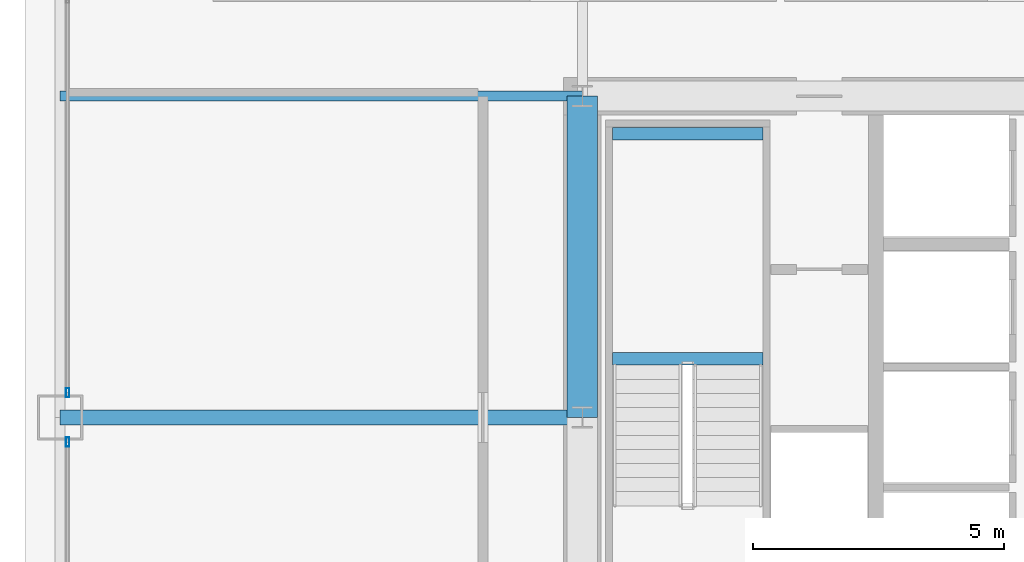
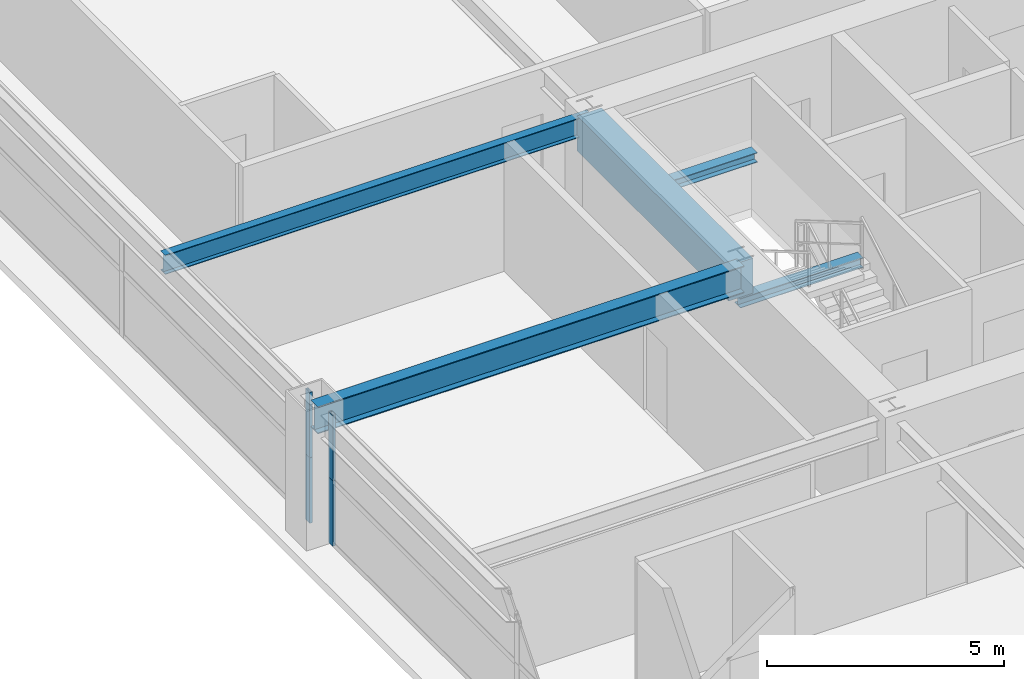
# One storey, part 12 of 43: 5 beams, 4 members, 2 elements without a shape of their own.
"""IFC4 building model written with IfcOpenShell, lengths in metres."""

import ifcopenshell
import ifcopenshell.guid

model = None  # the IFC model being written
_history = None  # IfcOwnerHistory: only IFC2X3 demands one
_inside = {}  # id of a spatial element -> (the spatial element, [elements in it])
_under = {}  # id of a project, library or spatial element -> (it, [spatial elements below it])
_declared = {}  # id of a project -> (the project, [libraries it declares])
_typed = {}  # id of a type object -> (the type object, [elements of that type])
_made_of = {}  # id of a material, layer set ... -> (it, [elements and type objects made of it])


def new_model(schema):
    """Start an empty IFC model of exactly this schema.

    Asked for "IFC4X3", IfcOpenShell would pick the latest addendum, in which some entities
    have other attributes; the version numbers below select the first issue.
    IFC2X3 requires an IfcOwnerHistory on every rooted entity: one is made here for all.
    """
    global model, _history
    if schema == "IFC4X3":
        model = ifcopenshell.file(schema_version=(4, 3, 0, 0))
    else:
        model = ifcopenshell.file(schema=schema)
    _inside.clear()
    _under.clear()
    _declared.clear()
    _typed.clear()
    _made_of.clear()
    _history = None
    if model.schema == "IFC2X3":
        org = make("IfcOrganization", Name="unknown")
        user = make(
            "IfcPersonAndOrganization",
            ThePerson=make("IfcPerson", FamilyName="unknown"),
            TheOrganization=org,
        )
        app = make(
            "IfcApplication",
            ApplicationDeveloper=org,
            Version="unknown",
            ApplicationFullName="unknown",
            ApplicationIdentifier="unknown",
        )
        _history = make(
            "IfcOwnerHistory",
            OwningUser=user,
            OwningApplication=app,
            ChangeAction="ADDED",
            CreationDate=0,
        )
    return model


def make(cls, **values):
    """One entity of the class cls with the attributes given. An attribute that is None is left unset."""
    return model.create_entity(
        cls, **{name: value for name, value in values.items() if value is not None}
    )


def rooted(cls, **values):
    """An entity with a GlobalId (a new one), such as an element, a storey or a relation."""
    return make(cls, GlobalId=ifcopenshell.guid.new(), OwnerHistory=_history, **values)


def si_unit(unit_type, name, prefix=None):
    """IfcSIUnit, for example si_unit("LENGTHUNIT", "METRE", prefix="MILLI")."""
    return make("IfcSIUnit", UnitType=unit_type, Prefix=prefix, Name=name)


def assignment(units):
    """IfcUnitAssignment: the units of a project."""
    return None if units is None else make("IfcUnitAssignment", Units=units)


def point(xyz):
    """IfcCartesianPoint."""
    return None if xyz is None else make("IfcCartesianPoint", Coordinates=xyz)


def direction(xyz):
    """IfcDirection."""
    return None if xyz is None else make("IfcDirection", DirectionRatios=xyz)


def frame(location, z_axis=None, x_axis=None):
    """IfcAxis2Placement3D, a coordinate frame: its origin and axes. An axis left out is left unset."""
    return make(
        "IfcAxis2Placement3D",
        Location=point(location),
        Axis=direction(z_axis),
        RefDirection=direction(x_axis),
    )


def frame_2d(location, x_axis=None):
    """IfcAxis2Placement2D, a coordinate frame in the plane: its origin and x axis."""
    return make(
        "IfcAxis2Placement2D", Location=point(location), RefDirection=direction(x_axis)
    )


def origin():
    """The frame at (0, 0, 0) with its axes left unset."""
    return frame((0.0, 0.0, 0.0))


def origin_2d():
    """The frame at (0, 0) in the plane with its x axis left unset."""
    return frame_2d((0.0, 0.0))


def place(relative_to, where):
    """IfcLocalPlacement: puts the frame where relative to a parent placement (None: the world)."""
    return make(
        "IfcLocalPlacement", PlacementRelTo=relative_to, RelativePlacement=where
    )


def context(
    kind, dimensions, precision=None, world=None, true_north=None, identifier=None
):
    """IfcGeometricRepresentationContext, for example the 3D "Model" context."""
    return make(
        "IfcGeometricRepresentationContext",
        ContextIdentifier=identifier,
        ContextType=kind,
        CoordinateSpaceDimension=dimensions,
        Precision=precision,
        WorldCoordinateSystem=world,
        TrueNorth=true_north,
    )


def subcontext(parent, identifier, kind, view, scale=None):
    """IfcGeometricRepresentationSubContext, for example "Body" below "Model"."""
    return make(
        "IfcGeometricRepresentationSubContext",
        ContextIdentifier=identifier,
        ContextType=kind,
        ParentContext=parent,
        TargetScale=scale,
        TargetView=view,
    )


def project(units=None, contexts=None):
    """IfcProject with its units and contexts."""
    return rooted(
        "IfcProject",
        Name="project",
        RepresentationContexts=contexts,
        UnitsInContext=assignment(units),
    )


def spatial(cls, under=None, at=None, **own):
    """A site, building, storey or space (cls), placed at a placement, below another one or the project."""
    s = rooted(cls, ObjectPlacement=at, **own)
    if under is not None:
        _under.setdefault(under.id(), (under, []))[1].append(s)
    return s


def profile(cls, at=None, kind="AREA", **sizes):
    """A parametric profile (cls). Its sizes go by their IFC names, for example OverallWidth=200.0."""
    return make(cls, ProfileType=kind, Position=at, **sizes)


def rectangle(**sizes):
    """IfcRectangleProfileDef."""
    return profile("IfcRectangleProfileDef", **sizes)


def hollow_rectangle(**sizes):
    """IfcRectangleHollowProfileDef."""
    return profile("IfcRectangleHollowProfileDef", **sizes)


def i_section(**sizes):
    """IfcIShapeProfileDef."""
    return profile("IfcIShapeProfileDef", **sizes)


def extrude(swept, where, along, depth):
    """IfcExtrudedAreaSolid: the profile swept, set in the frame where, extruded along a direction by depth."""
    return make(
        "IfcExtrudedAreaSolid",
        SweptArea=swept,
        Position=where,
        ExtrudedDirection=direction(along),
        Depth=depth,
    )


def shape(context_of_items, identifier, shape_type, items):
    """IfcShapeRepresentation: the items that make up one representation, for example the "Body"."""
    return make(
        "IfcShapeRepresentation",
        ContextOfItems=context_of_items,
        RepresentationIdentifier=identifier,
        RepresentationType=shape_type,
        Items=items,
    )


def source(mapping_origin, context_of_items, identifier, shape_type, items):
    """IfcRepresentationMap: a shape defined once, which mapped items show again and again."""
    return make(
        "IfcRepresentationMap",
        MappingOrigin=mapping_origin,
        MappedRepresentation=shape(context_of_items, identifier, shape_type, items),
    )


def transform(
    local_origin,
    x_axis=None,
    y_axis=None,
    z_axis=None,
    scale=None,
    scale2=None,
    scale3=None,
    uniform=True,
):
    """IfcCartesianTransformationOperator3D, or its non-uniform kind. x_axis, y_axis, z_axis: its Axis1, 2, 3."""
    if uniform:
        return make(
            "IfcCartesianTransformationOperator3D",
            Axis1=direction(x_axis),
            Axis2=direction(y_axis),
            LocalOrigin=point(local_origin),
            Scale=scale,
            Axis3=direction(z_axis),
        )
    return make(
        "IfcCartesianTransformationOperator3DnonUniform",
        Axis1=direction(x_axis),
        Axis2=direction(y_axis),
        LocalOrigin=point(local_origin),
        Scale=scale,
        Axis3=direction(z_axis),
        Scale2=scale2,
        Scale3=scale3,
    )


def mapped(mapping_source, mapping_target):
    """IfcMappedItem: shows the shape of a source again, moved by a transform."""
    return make(
        "IfcMappedItem", MappingSource=mapping_source, MappingTarget=mapping_target
    )


def material(Name=None, Category=None):
    """IfcMaterial."""
    return make("IfcMaterial", Name=Name, Category=Category)


def layer(
    of_material, thickness, ventilated=None, Name=None, Category=None, Priority=None
):
    """IfcMaterialLayer: one layer of a wall or slab, of a material (None: an air gap)."""
    return make(
        "IfcMaterialLayer",
        Material=of_material,
        LayerThickness=thickness,
        IsVentilated=ventilated,
        Name=Name,
        Category=Category,
        Priority=Priority,
    )


def layer_set(layers, Name=None):
    """IfcMaterialLayerSet."""
    return make("IfcMaterialLayerSet", MaterialLayers=layers, LayerSetName=Name)


def material_profile(
    of_material, cross_section, Name=None, Category=None, Priority=None
):
    """IfcMaterialProfile: a cross section and its material."""
    return make(
        "IfcMaterialProfile",
        Name=Name,
        Material=of_material,
        Profile=cross_section,
        Priority=Priority,
        Category=Category,
    )


def profile_set(profiles, Name=None, composite=None):
    """IfcMaterialProfileSet."""
    return make(
        "IfcMaterialProfileSet",
        Name=Name,
        MaterialProfiles=profiles,
        CompositeProfile=composite,
    )


def made_of(thing, what):
    """Note that an element or type object is made of a material, layer set ...; save() writes the relation."""
    if what is not None:
        _made_of.setdefault(what.id(), (what, []))[1].append(thing)
    return thing


def type_object(cls, material=None, **own):
    """A type object (cls), such as IfcWallType, which elements share."""
    return made_of(rooted(cls, **own), material)


def element(
    cls,
    number,
    at=None,
    inside=None,
    cuts=None,
    type_object=None,
    material=None,
    context=None,
    identifier="Body",
    shape_type=None,
    held_by="IfcProductDefinitionShape",
    body=None,
    shapes=None,
    **own,
):
    """One element of the class cls, such as IfcWall. Its Tag is "e" and its number.

    at: its placement. inside: the storey or other place that contains it. cuts: it is an
    opening in that element (IfcRelVoidsElement). A single representation is given by context,
    identifier, shape_type and body (its items); several are given by shapes. held_by: the class
    of the entity that holds the representations. save() writes the other relations.
    """
    e = rooted(cls, Tag="e%d" % number, ObjectPlacement=at, **own)
    if body is not None:
        shapes = [shape(context, identifier, shape_type, body)]
    if shapes is not None:
        e.Representation = make(held_by, Representations=shapes)
    if inside is not None:
        _inside.setdefault(inside.id(), (inside, []))[1].append(e)
    if cuts is not None:
        rooted(
            "IfcRelVoidsElement", RelatingBuildingElement=cuts, RelatedOpeningElement=e
        )
    if type_object is not None:
        _typed.setdefault(type_object.id(), (type_object, []))[1].append(e)
    return made_of(e, material)


def aggregate(whole, parts):
    """IfcRelAggregates: a whole, such as a stair, and the parts it consists of."""
    return rooted("IfcRelAggregates", RelatingObject=whole, RelatedObjects=parts)


def save(model, path):
    """Write the relations noted so far, then the file.

    IfcRelAggregates (storeys below a building ...), IfcRelContainedInSpatialStructure (elements
    in a storey), IfcRelDefinesByType, IfcRelAssociatesMaterial and IfcRelDeclares: one each for
    every whole, place, type object, material and project.
    """
    for whole, parts in _under.values():
        aggregate(whole, parts)
    for where, things in _inside.values():
        rooted(
            "IfcRelContainedInSpatialStructure",
            RelatedElements=things,
            RelatingStructure=where,
        )
    for kind, things in _typed.values():
        rooted("IfcRelDefinesByType", RelatedObjects=things, RelatingType=kind)
    for what, things in _made_of.values():
        rooted("IfcRelAssociatesMaterial", RelatedObjects=things, RelatingMaterial=what)
    for by, libraries in _declared.values():
        rooted("IfcRelDeclares", RelatingContext=by, RelatedDefinitions=libraries)
    model.write(path)


model = new_model("IFC4")

# Units and contexts
model_context = context("Model", 3, precision=1e-05, world=origin(), true_north=direction((0.0, 1.0)))
body_context = subcontext(model_context, "Body", "Model", "MODEL_VIEW")
ifc_project = project(units=[si_unit("LENGTHUNIT", "METRE"), si_unit("AREAUNIT", "SQUARE_METRE"), si_unit("VOLUMEUNIT", "CUBIC_METRE"), si_unit("PLANEANGLEUNIT", "RADIAN"), si_unit("MASSUNIT", "GRAM", prefix="KILO"), si_unit("THERMODYNAMICTEMPERATUREUNIT", "KELVIN"), si_unit("POWERUNIT", "WATT")], contexts=[model_context])

# Site, building, storey
site_placement = place(None, origin())
site = spatial("IfcSite", under=ifc_project, at=site_placement, CompositionType="ELEMENT")
building_placement = place(site_placement, origin())
building = spatial("IfcBuilding", under=site, at=building_placement, Name="Yuzanri Waterfront Tower", CompositionType="ELEMENT")
storey_placement = place(building_placement, frame((0.0, 0.0, 101.0)))
storey = spatial("IfcBuildingStorey", under=building, at=storey_placement, Name="L26", CompositionType="ELEMENT", Elevation=101.0)

# Beams
ifc_material_1 = material(Name="Concrete C60", Category="concrete")
ifc_material_profile_1 = material_profile(ifc_material_1, rectangle(XDim=0.60009765625, YDim=0.89990234375, at=origin_2d()), Name="RC 600x900")
ifc_profile_set_1 = profile_set([ifc_material_profile_1], Name="Concrete C60")
beam_type_1 = type_object("IfcBeamType", Name="Core Coupling Lintel Concrete C60 600x900", PredefinedType="LINTEL", material=ifc_profile_set_1)
shared_shape_1 = source(origin(), body_context, "Body", "SweptSolid", [
    extrude(rectangle(XDim=0.60009765625, YDim=0.89990234375, at=origin_2d()), origin(), (0.0, 0.0, 1.0), 6.39990234375),
])
beam_1_placement = place(storey_placement, frame((23.800048828125, 25.800048828125, 2.929931640625), z_axis=(0.0, 1.0, 0.0), x_axis=(-1.0, 0.0, 0.0)))
element("IfcBeam", 1, at=beam_1_placement, inside=storey, type_object=beam_type_1, Name="L26 Core Tie Beam CW2", PredefinedType="LINTEL", context=body_context, shape_type="MappedRepresentation", body=[
    mapped(shared_shape_1, transform((0.0, 0.0, 0.0), scale=1.0)),
])
ifc_material_2 = material(Name="Steel Q355B", Category="steel")
ifc_material_profile_2 = material_profile(ifc_material_2, i_section(OverallWidth=0.300048828125, OverallDepth=0.699951171875, WebThickness=0.012939453125, FlangeThickness=0.02392578125, at=origin_2d()), Name="HN 700x300x13x24")
ifc_profile_set_2 = profile_set([ifc_material_profile_2], Name="Steel Q355B")
beam_type_2 = type_object("IfcBeamType", Name="Primary Floor Girder Q355B HN 700x300", PredefinedType="BEAM", material=ifc_profile_set_2)
shared_shape_2 = source(origin(), body_context, "Body", "SweptSolid", [
    extrude(i_section(OverallWidth=0.300048828125, OverallDepth=0.699951171875, WebThickness=0.012939453125, FlangeThickness=0.02392578125, at=origin_2d()), origin(), (0.0, 0.0, 1.0), 10.400146484375),
])
beam_2_placement = place(storey_placement, frame((23.800048828125, 25.800048828125, 3.030029296875), z_axis=(-1.0, 0.0, 0.0), x_axis=(0.0, -1.0, 0.0)))
element("IfcBeam", 2, at=beam_2_placement, inside=storey, type_object=beam_type_2, Name="L26 West Grid Girder", PredefinedType="BEAM", context=body_context, shape_type="MappedRepresentation", body=[
    mapped(shared_shape_2, transform((0.0, 0.0, 0.0), scale=1.0)),
])
ifc_material_3 = material(Name="Steel Q355B", Category="steel")
ifc_material_profile_3 = material_profile(ifc_material_3, i_section(OverallWidth=0.199951171875, OverallDepth=0.5, WebThickness=0.010009765625, FlangeThickness=0.01611328125, at=origin_2d()), Name="HN 500x200x10x16")
ifc_profile_set_3 = profile_set([ifc_material_profile_3], Name="Steel Q355B")
beam_type_3 = type_object("IfcBeamType", Name="Secondary Floor Beam Q355B HN 500x200", PredefinedType="BEAM", material=ifc_profile_set_3)
shared_shape_3 = source(origin(), body_context, "Body", "SweptSolid", [
    extrude(i_section(OverallWidth=0.199951171875, OverallDepth=0.5, WebThickness=0.010009765625, FlangeThickness=0.01611328125, at=origin_2d()), origin(), (0.0, 0.0, 1.0), 10.400146484375),
])
beam_3_placement = place(storey_placement, frame((23.800048828125, 32.199951171875, 3.1298828125), z_axis=(-1.0, 0.0, 0.0), x_axis=(0.0, -1.0, 0.0)))
element("IfcBeam", 3, at=beam_3_placement, inside=storey, type_object=beam_type_3, Name="L26 West-North Core Line Beam", PredefinedType="BEAM", context=body_context, shape_type="MappedRepresentation", body=[
    mapped(shared_shape_3, transform((0.0, 0.0, 0.0), scale=1.0)),
])

# Curtain wall, members
ifc_material_4 = material(Name="Anodized Architectural Bronze", Category="metal")
ifc_layer = layer(ifc_material_4, 0.159912109375)
ifc_layer_set = layer_set([ifc_layer], Name="Anodized Architectural Bronze")
curtain_wall_type = type_object("IfcCurtainWallType", Name="Anodized Bronze Hotel Upper-Tier Solar-Control Unitized Curtain Wall 7800", PredefinedType="NOTDEFINED", material=ifc_layer_set)
curtain_wall_1_placement = place(storey_placement, origin())
curtain_wall_1 = element("IfcCurtainWall", 4, at=curtain_wall_1_placement, inside=storey, type_object=curtain_wall_type, Name="L26 Curtain Wall CW-L26-WL", PredefinedType="NOTDEFINED")
ifc_material_5 = material(Name="Anodized Architectural Bronze", Category="metal")
ifc_material_profile_4 = material_profile(ifc_material_5, hollow_rectangle(XDim=0.070068359375, YDim=0.179931640625, WallThickness=0.00390625, at=origin_2d()), Name="CWM 70x180")
ifc_profile_set_4 = profile_set([ifc_material_profile_4], Name="Anodized Architectural Bronze")
member_type = type_object("IfcMemberType", Name="Anodized Bronze Standard Curtain-Wall Mullion 70x180", PredefinedType="MULLION", material=ifc_profile_set_4)
shared_shape_4 = source(origin(), body_context, "Body", "SweptSolid", [
    extrude(hollow_rectangle(XDim=0.070068359375, YDim=0.179931640625, WallThickness=0.00390625, at=origin_2d()), origin(), (0.0, 0.0, 1.0), 1.68798828125),
])
member_1_placement = place(storey_placement, frame((13.550048828125, 25.31005859375, 0.0), z_axis=(0.0, 0.0, 1.0), x_axis=(1.0, 0.0, 0.0)))
member_1 = element("IfcMember", 5, at=member_1_placement, type_object=member_type, Name="CW-L26-WL Lower Mullion 02", PredefinedType="MULLION", context=body_context, shape_type="MappedRepresentation", body=[
    mapped(shared_shape_4, transform((0.0, 0.0, 0.0), scale=1.0)),
])
member_2_placement = place(storey_placement, frame((13.550048828125, 25.31005859375, 1.69189453125), z_axis=(0.0, 0.0, 1.0), x_axis=(1.0, 0.0, 0.0)))
member_2 = element("IfcMember", 6, at=member_2_placement, type_object=member_type, Name="CW-L26-WL Upper Mullion 02", PredefinedType="MULLION", context=body_context, shape_type="MappedRepresentation", body=[
    mapped(shared_shape_4, transform((0.0, 0.0, 0.0), scale=1.0)),
])
aggregate(curtain_wall_1, [member_1, member_2])

curtain_wall_2_placement = place(storey_placement, origin())
curtain_wall_2 = element("IfcCurtainWall", 7, at=curtain_wall_2_placement, inside=storey, type_object=curtain_wall_type, Name="L26 Curtain Wall CW-L26-WR", PredefinedType="NOTDEFINED")
member_3_placement = place(storey_placement, frame((13.550048828125, 26.2900390625, 0.0), z_axis=(0.0, 0.0, 1.0), x_axis=(1.0, 0.0, 0.0)))
member_3 = element("IfcMember", 8, at=member_3_placement, type_object=member_type, Name="CW-L26-WR Lower Mullion 00", PredefinedType="MULLION", context=body_context, shape_type="MappedRepresentation", body=[
    mapped(shared_shape_4, transform((0.0, 0.0, 0.0), scale=1.0)),
])
member_4_placement = place(storey_placement, frame((13.550048828125, 26.2900390625, 1.69189453125), z_axis=(0.0, 0.0, 1.0), x_axis=(1.0, 0.0, 0.0)))
member_4 = element("IfcMember", 9, at=member_4_placement, type_object=member_type, Name="CW-L26-WR Upper Mullion 00", PredefinedType="MULLION", context=body_context, shape_type="MappedRepresentation", body=[
    mapped(shared_shape_4, transform((0.0, 0.0, 0.0), scale=1.0)),
])
aggregate(curtain_wall_2, [member_3, member_4])

# Beams
ifc_material_6 = material(Name="Steel Q355B", Category="steel")
ifc_material_profile_5 = material_profile(ifc_material_6, i_section(OverallWidth=0.25, OverallDepth=0.25, WebThickness=0.009033203125, FlangeThickness=0.013916015625, at=origin_2d()), Name="HW 250x250x9x14")
ifc_profile_set_5 = profile_set([ifc_material_profile_5], Name="Steel Q355B")
beam_type_4 = type_object("IfcBeamType", Name="Stair Landing Support Beam Q355B HW 250x250", PredefinedType="BEAM", material=ifc_profile_set_5)
shared_shape_5 = source(origin(), body_context, "Body", "SweptSolid", [
    extrude(i_section(OverallWidth=0.25, OverallDepth=0.25, WebThickness=0.009033203125, FlangeThickness=0.013916015625, at=origin_2d()), origin(), (0.0, 0.0, 1.0), 3.0),
])
for number, where, z_axis, x_axis, name in (
    (10, (24.39990234375, 26.969970703125, 1.47509765625), (1.0, 0.0, 0.0), (0.0, 1.0, 0.0), "L26 Stair Landing Support Beam ST-01-L26-L1-1"),
    (11, (24.39990234375, 31.449951171875, 1.47509765625), (1.0, 0.0, 0.0), (0.0, 1.0, 0.0), "L26 Stair Landing Support Beam ST-01-L26-L1-2"),
):
    element("IfcBeam", number, at=place(storey_placement, frame(where, z_axis=z_axis, x_axis=x_axis)), inside=storey, type_object=beam_type_4, Name=name, PredefinedType="BEAM", context=body_context, shape_type="MappedRepresentation", body=[
        mapped(shared_shape_5, transform((0.0, 0.0, 0.0), scale=1.0)),
    ])

save(model, "model.ifc")
